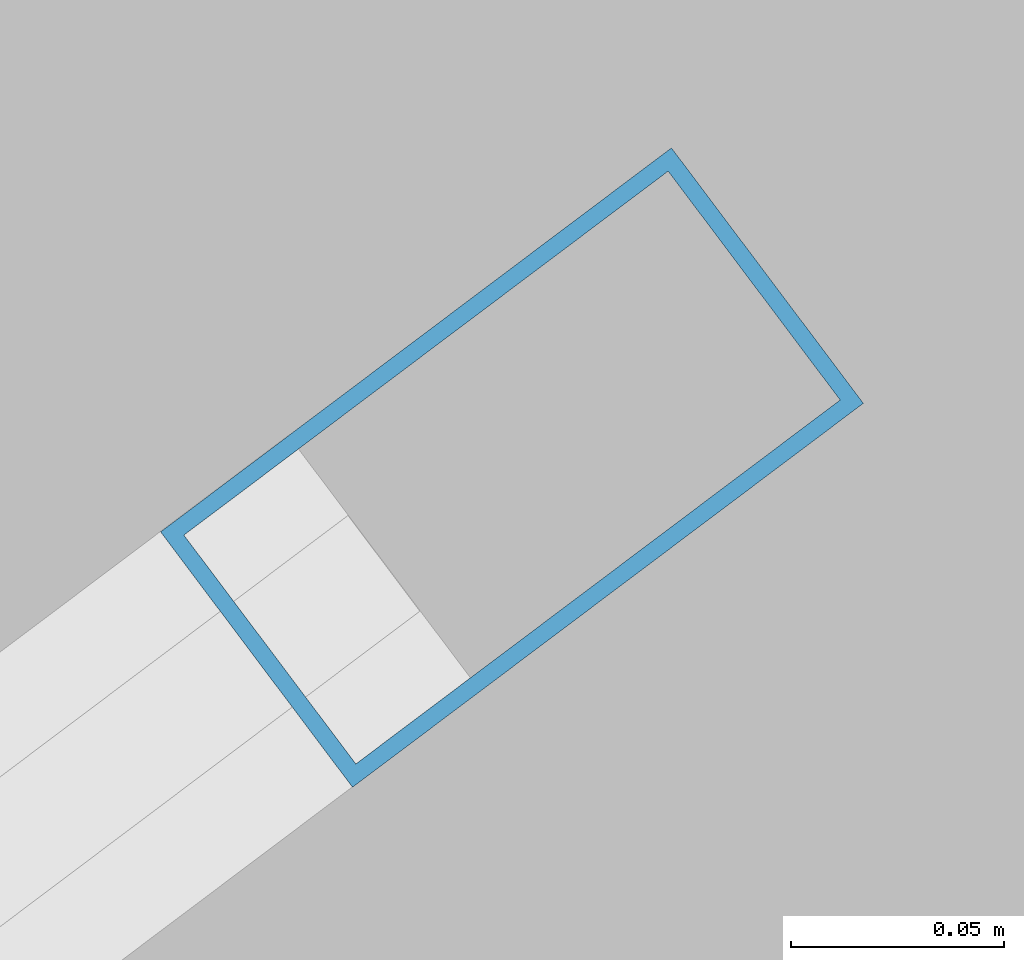
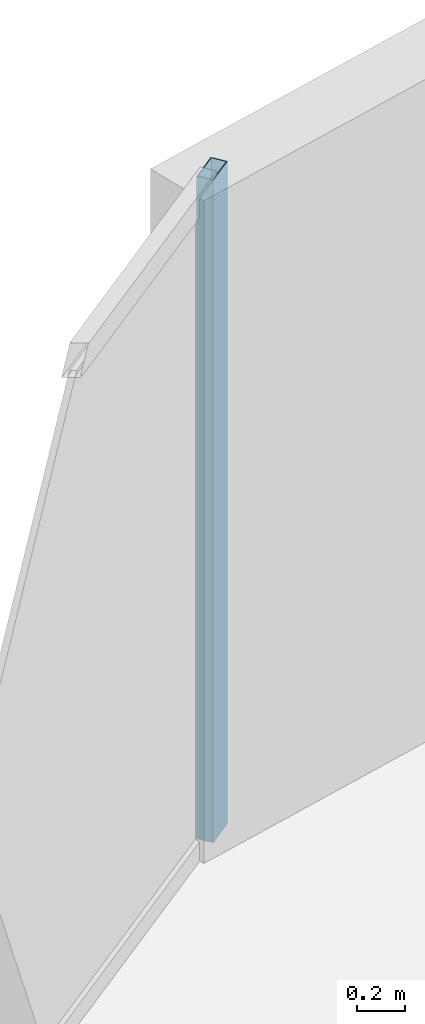
# One storey, part 18 of 30: 1 member, 1 element without a shape of its own.
"""IFC4 building model written with IfcOpenShell, lengths in metres."""

from ifc_helpers import new_model, si_unit, direction, frame, origin, origin_2d, place, context, subcontext, project, spatial, hollow_rectangle, extrude, material, layer, layer_set, material_profile, profile_set, type_object, element, aggregate, save


model = new_model("IFC4")

# Units and contexts
model_context = context("Model", 3, precision=1e-05, world=origin(), true_north=direction((0.0, 1.0)))
body_context = subcontext(model_context, "Body", "Model", "MODEL_VIEW")
ifc_project = project(units=[si_unit("LENGTHUNIT", "METRE"), si_unit("AREAUNIT", "SQUARE_METRE"), si_unit("VOLUMEUNIT", "CUBIC_METRE"), si_unit("PLANEANGLEUNIT", "RADIAN"), si_unit("MASSUNIT", "GRAM", prefix="KILO")], contexts=[model_context])

# Site, building, storey
site_placement = place(None, origin())
site = spatial("IfcSite", under=ifc_project, at=site_placement, CompositionType="ELEMENT")
building_placement = place(site_placement, origin())
building = spatial("IfcBuilding", under=site, at=building_placement, Name="Kazevale Care Tower and Concert Hall", CompositionType="ELEMENT")
storey_placement = place(building_placement, frame((0.0, 0.0, 127.800048828125)))
storey = spatial("IfcBuildingStorey", under=building, at=storey_placement, Name="L33", CompositionType="ELEMENT", Elevation=127.800048828125)

# Curtain wall, member
ifc_material_1 = material(Name="Aluminium 6063-T6 and Low-E Glass", Category="aluminium")
ifc_layer = layer(ifc_material_1, 0.179931640625)
ifc_layer_set = layer_set([ifc_layer], Name="Aluminium 6063-T6 and Low-E Glass")
curtain_wall_type = type_object("IfcCurtainWallType", Name="Convex Recessed Sunroom Curtain Wall CW-3", PredefinedType="NOTDEFINED", material=ifc_layer_set)
curtain_wall_placement = place(storey_placement, origin())
curtain_wall = element("IfcCurtainWall", 1, at=curtain_wall_placement, inside=storey, type_object=curtain_wall_type, Name="cw:L33:f14", PredefinedType="NOTDEFINED")
ifc_material_2 = material(Name="Aluminium 6063-T6", Category="aluminium")
ifc_material_profile = material_profile(ifc_material_2, hollow_rectangle(XDim=0.074951171875, YDim=0.14990234375, WallThickness=0.00390625, at=origin_2d()), Name="ALU75x150x4")
ifc_profile_set = profile_set([ifc_material_profile], Name="Aluminium 6063-T6")
member_type = type_object("IfcMemberType", Name="CW-3 Mullion ALU75x150x4", PredefinedType="MULLION", material=ifc_profile_set)
member_placement = place(storey_placement, frame((29.157958984375, 59.136474609375, 0.0), z_axis=(0.0, 0.0, 1.0), x_axis=(-0.600797902474, 0.799400950952, 0.0)))
member = element("IfcMember", 2, at=member_placement, type_object=member_type, Name="CW-3 mullion 2", PredefinedType="MULLION", context=body_context, shape_type="SweptSolid", body=[
    extrude(hollow_rectangle(XDim=0.074951171875, YDim=0.14990234375, WallThickness=0.00390625, at=origin_2d()), origin(), (0.0, 0.0, 1.0), 3.35986328125),
])
aggregate(curtain_wall, [member])

save(model, "model.ifc")
